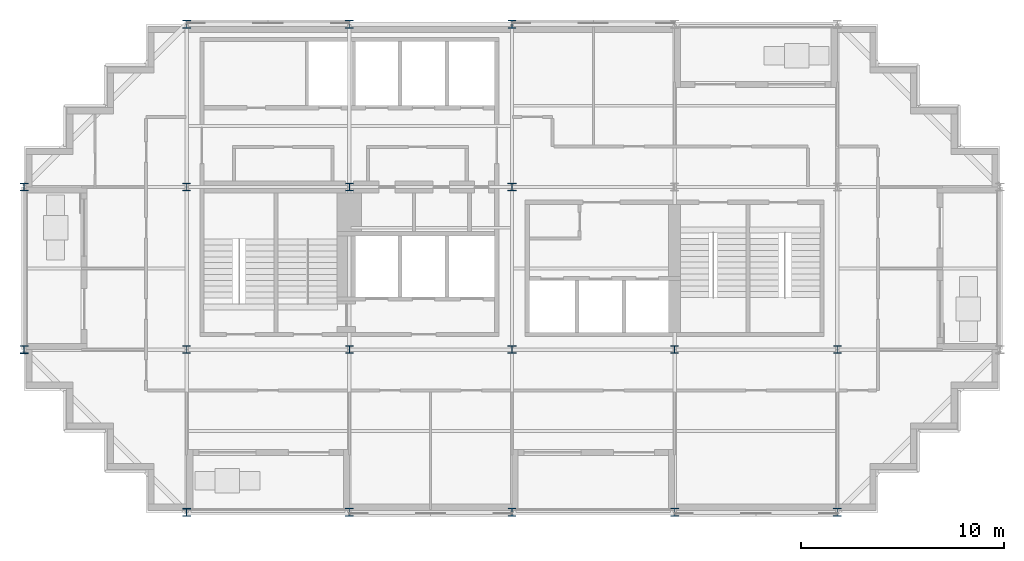
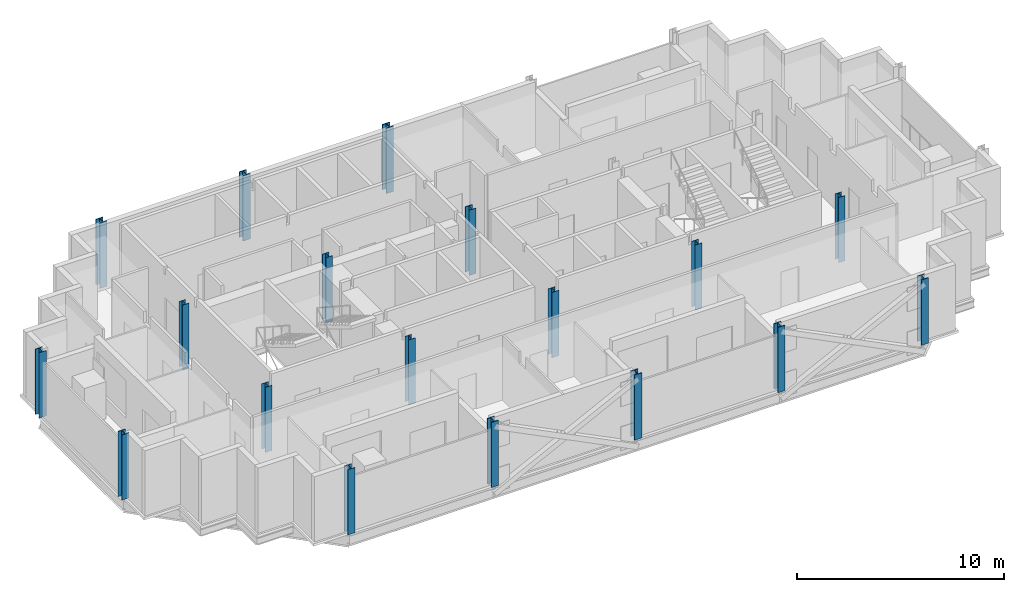
# One storey, part 1 of 10: 18 columns.
"""IFC4 building model written with IfcOpenShell, lengths in metres."""

from ifc_helpers import new_model, si_unit, direction, frame, origin, origin_2d, place, context, subcontext, project, spatial, i_section, extrude, material, material_profile, profile_set, type_object, element, save


model = new_model("IFC4")

# Units and contexts
model_context = context("Model", 3, precision=1e-05, world=origin(), true_north=direction((0.0, 1.0)))
body_context = subcontext(model_context, "Body", "Model", "MODEL_VIEW")
ifc_project = project(units=[si_unit("LENGTHUNIT", "METRE"), si_unit("AREAUNIT", "SQUARE_METRE"), si_unit("VOLUMEUNIT", "CUBIC_METRE"), si_unit("PLANEANGLEUNIT", "RADIAN"), si_unit("MASSUNIT", "GRAM", prefix="KILO")], contexts=[model_context])

# Site, building, storey
site_placement = place(None, origin())
site = spatial("IfcSite", under=ifc_project, at=site_placement, CompositionType="ELEMENT")
building_placement = place(site_placement, origin())
building = spatial("IfcBuilding", under=site, at=building_placement, Name="Immortelle Media Tower", CompositionType="ELEMENT")
storey_placement = place(building_placement, frame((0.0, 0.0, 217.0)))
storey = spatial("IfcBuildingStorey", under=building, at=storey_placement, Name="L46", CompositionType="ELEMENT", Elevation=217.0)

# Columns
ifc_material = material(Name="Steel ASTM A992 Gr 50", Category="steel")
ifc_material_profile_1 = material_profile(ifc_material, i_section(OverallWidth=0.373046875, OverallDepth=0.367919921875, WebThickness=0.014892578125, FlangeThickness=0.02392578125, at=origin_2d()), Name="W14x120")
ifc_profile_set_1 = profile_set([ifc_material_profile_1], Name="Steel ASTM A992 Gr 50")
column_type_1 = type_object("IfcColumnType", Name="W14x120 column", PredefinedType="COLUMN", material=ifc_profile_set_1)
for number, where, z_axis, x_axis, name in (
    (1, (8.0, 8.0, 0.0), (0.0, 0.0, 1.0), (1.0, 0.0, 0.0), "Column 2/B"),
    (2, (8.0, 16.0, 0.0), (0.0, 0.0, 1.0), (1.0, 0.0, 0.0), "Column 2/C"),
    (3, (16.0, 8.0, 0.0), (0.0, 0.0, 1.0), (1.0, 0.0, 0.0), "Column 3/B"),
    (4, (16.0, 16.0, 0.0), (0.0, 0.0, 1.0), (1.0, 0.0, 0.0), "Column 3/C"),
    (5, (32.0, 8.0, 0.0), (0.0, 0.0, 1.0), (1.0, 0.0, 0.0), "Column 5/B"),
    (6, (40.0, 8.0, 0.0), (0.0, 0.0, 1.0), (1.0, 0.0, 0.0), "Column 6/B"),
):
    element("IfcColumn", number, at=place(storey_placement, frame(where, z_axis=z_axis, x_axis=x_axis)), inside=storey, type_object=column_type_1, Name=name, PredefinedType="COLUMN", context=body_context, shape_type="SweptSolid", body=[
        extrude(i_section(OverallWidth=0.373046875, OverallDepth=0.367919921875, WebThickness=0.014892578125, FlangeThickness=0.02392578125, at=origin_2d()), origin(), (0.0, 0.0, 1.0), 3.85009765625),
    ])
ifc_material_profile_2 = material_profile(ifc_material, i_section(OverallWidth=0.39404296875, OverallDepth=0.3759765625, WebThickness=0.01708984375, FlangeThickness=0.028076171875, at=origin_2d()), Name="W14x145")
ifc_profile_set_2 = profile_set([ifc_material_profile_2], Name="Steel ASTM A992 Gr 50")
column_type_2 = type_object("IfcColumnType", Name="W14x145 column", PredefinedType="COLUMN", material=ifc_profile_set_2)
for number, where, z_axis, x_axis, name in (
    (7, (24.0, 8.0, 0.0), (0.0, 0.0, 1.0), (1.0, 0.0, 0.0), "Column 4/B"),
    (8, (24.0, 16.0, 0.0), (0.0, 0.0, 1.0), (1.0, 0.0, 0.0), "Column 4/C"),
):
    element("IfcColumn", number, at=place(storey_placement, frame(where, z_axis=z_axis, x_axis=x_axis)), inside=storey, type_object=column_type_2, Name=name, PredefinedType="COLUMN", context=body_context, shape_type="SweptSolid", body=[
        extrude(i_section(OverallWidth=0.39404296875, OverallDepth=0.3759765625, WebThickness=0.01708984375, FlangeThickness=0.028076171875, at=origin_2d()), origin(), (0.0, 0.0, 1.0), 3.85009765625),
    ])
ifc_material_profile_3 = material_profile(ifc_material, i_section(OverallWidth=0.39892578125, OverallDepth=0.385986328125, WebThickness=0.02099609375, FlangeThickness=0.032958984375, at=origin_2d()), Name="W14x176")
ifc_profile_set_3 = profile_set([ifc_material_profile_3], Name="Steel ASTM A992 Gr 50")
column_type_3 = type_object("IfcColumnType", Name="W14x176 column", PredefinedType="COLUMN", material=ifc_profile_set_3)
for number, where, z_axis, x_axis, name in (
    (9, (0.0, 8.0, 0.0), (0.0, 0.0, 1.0), (1.0, 0.0, 0.0), "Column 1/B"),
    (10, (0.0, 16.0, 0.0), (0.0, 0.0, 1.0), (1.0, 0.0, 0.0), "Column 1/C"),
    (11, (8.0, 0.0, 0.0), (0.0, 0.0, 1.0), (1.0, 0.0, 0.0), "Column 2/A"),
):
    element("IfcColumn", number, at=place(storey_placement, frame(where, z_axis=z_axis, x_axis=x_axis)), inside=storey, type_object=column_type_3, Name=name, PredefinedType="COLUMN", context=body_context, shape_type="SweptSolid", body=[
        extrude(i_section(OverallWidth=0.39892578125, OverallDepth=0.385986328125, WebThickness=0.02099609375, FlangeThickness=0.032958984375, at=origin_2d()), origin(), (0.0, 0.0, 1.0), 3.85009765625),
    ])
ifc_material_profile_4 = material_profile(ifc_material, i_section(OverallWidth=0.406005859375, OverallDepth=0.4169921875, WebThickness=0.030029296875, FlangeThickness=0.048095703125, at=origin_2d()), Name="W14x257")
ifc_profile_set_4 = profile_set([ifc_material_profile_4], Name="Steel ASTM A992 Gr 50")
column_type_4 = type_object("IfcColumnType", Name="W14x257 column", PredefinedType="COLUMN", material=ifc_profile_set_4)
for number, where, z_axis, x_axis, name in (
    (12, (8.0, 24.0, 0.0), (0.0, 0.0, 1.0), (1.0, 0.0, 0.0), "Column 2/D"),
    (13, (16.0, 0.0, 0.0), (0.0, 0.0, 1.0), (1.0, 0.0, 0.0), "Column 3/A"),
    (14, (16.0, 24.0, 0.0), (0.0, 0.0, 1.0), (1.0, 0.0, 0.0), "Column 3/D"),
    (15, (24.0, 0.0, 0.0), (0.0, 0.0, 1.0), (1.0, 0.0, 0.0), "Column 4/A"),
    (16, (24.0, 24.0, 0.0), (0.0, 0.0, 1.0), (1.0, 0.0, 0.0), "Column 4/D"),
    (17, (32.0, 0.0, 0.0), (0.0, 0.0, 1.0), (1.0, 0.0, 0.0), "Column 5/A"),
    (18, (40.0, 0.0, 0.0), (0.0, 0.0, 1.0), (1.0, 0.0, 0.0), "Column 6/A"),
):
    element("IfcColumn", number, at=place(storey_placement, frame(where, z_axis=z_axis, x_axis=x_axis)), inside=storey, type_object=column_type_4, Name=name, PredefinedType="COLUMN", context=body_context, shape_type="SweptSolid", body=[
        extrude(i_section(OverallWidth=0.406005859375, OverallDepth=0.4169921875, WebThickness=0.030029296875, FlangeThickness=0.048095703125, at=origin_2d()), origin(), (0.0, 0.0, 1.0), 3.85009765625),
    ])

save(model, "model.ifc")
